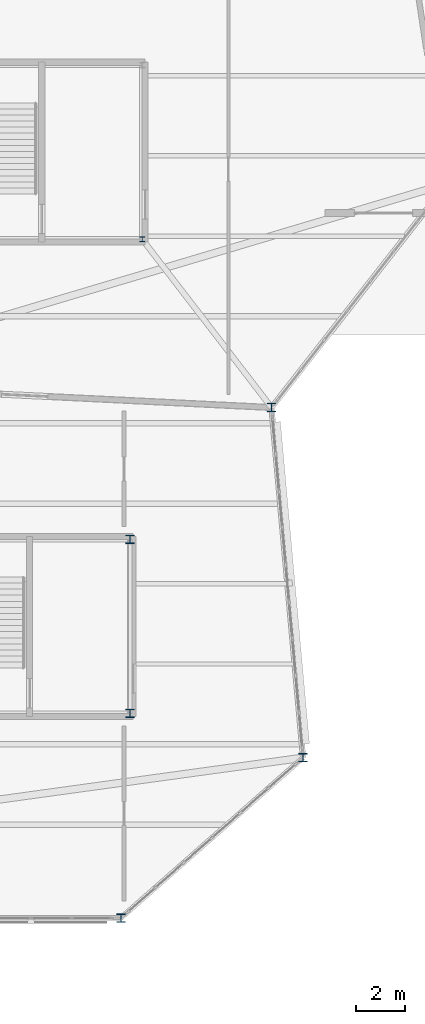
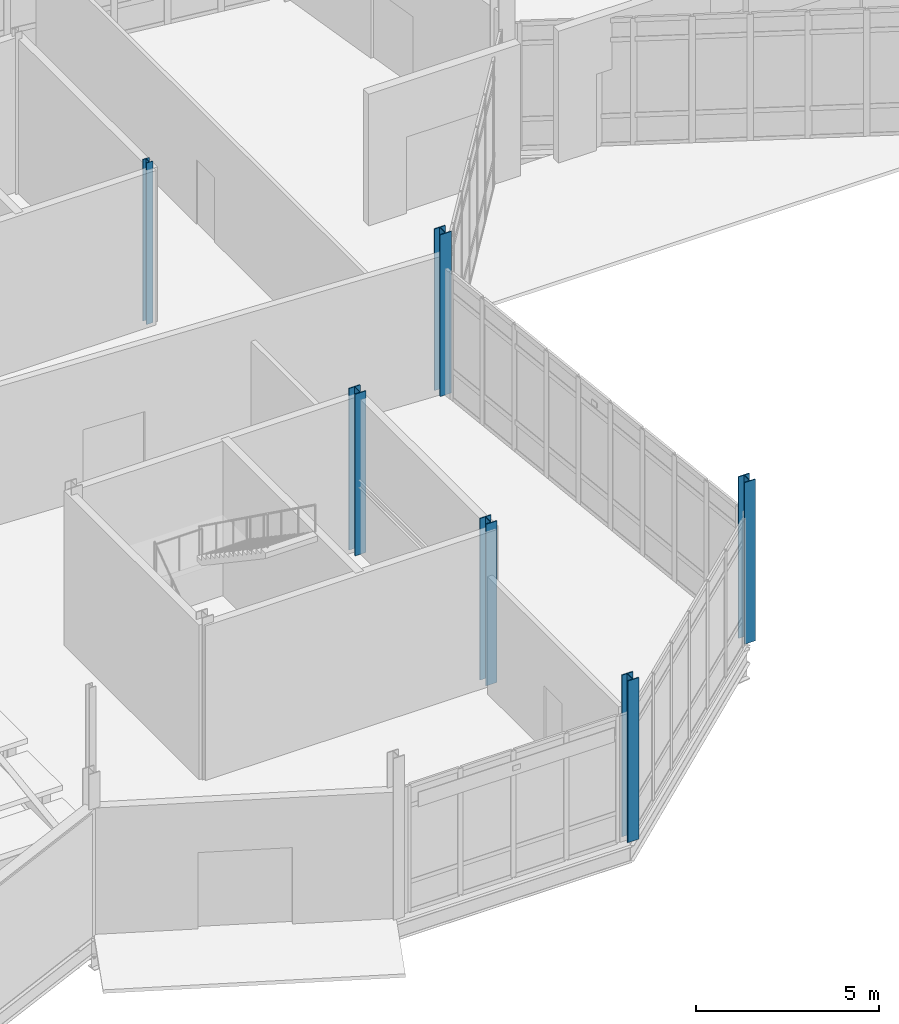
# One storey, part 4 of 113: 6 columns.
"""IFC4 building model written with IfcOpenShell, lengths in metres."""

from ifc_helpers import new_model, si_unit, direction, frame, origin, origin_2d, place, context, subcontext, project, spatial, i_section, extrude, material, material_profile, profile_set, type_object, element, save


model = new_model("IFC4")

# Units and contexts
model_context = context("Model", 3, precision=1e-05, world=origin(), true_north=direction((0.0, 1.0)))
body_context = subcontext(model_context, "Body", "Model", "MODEL_VIEW")
ifc_project = project(units=[si_unit("LENGTHUNIT", "METRE"), si_unit("AREAUNIT", "SQUARE_METRE"), si_unit("VOLUMEUNIT", "CUBIC_METRE"), si_unit("PLANEANGLEUNIT", "RADIAN"), si_unit("MASSUNIT", "GRAM", prefix="KILO")], contexts=[model_context])

# Site, building, storey
site_placement = place(None, origin())
site = spatial("IfcSite", under=ifc_project, at=site_placement, CompositionType="ELEMENT")
building_placement = place(site_placement, origin())
building = spatial("IfcBuilding", under=site, at=building_placement, Name="Tameran Prism Museum", CompositionType="ELEMENT")
storey_placement = place(building_placement, origin())
storey = spatial("IfcBuildingStorey", under=building, at=storey_placement, Name="L00", CompositionType="ELEMENT", Elevation=0.0)

# Columns
ifc_material_1 = material(Name="Steel Grade 300PLUS (300 MPa)", Category="steel")
ifc_material_profile_1 = material_profile(ifc_material_1, i_section(OverallWidth=0.205078125, OverallDepth=0.2099609375, WebThickness=0.00927734375, FlangeThickness=0.01416015625, FilletRadius=0.01025390625, at=origin_2d()))
ifc_profile_set_1 = profile_set([ifc_material_profile_1])
column_type_1 = type_object("IfcColumnType", Name="COL-UC200", PredefinedType="COLUMN", material=ifc_profile_set_1)
column_placement = place(storey_placement, frame((38.47998046875, 27.919921875, 0.0), z_axis=(0.0, 0.0, 1.0), x_axis=(1.0, 0.0, 0.0)))
element("IfcColumn", 1, at=column_placement, inside=storey, type_object=column_type_1, Name="Column CC-12-2 L00", PredefinedType="COLUMN", context=body_context, shape_type="SweptSolid", body=[
    extrude(i_section(OverallWidth=0.205078125, OverallDepth=0.2099609375, WebThickness=0.00927734375, FlangeThickness=0.01416015625, FilletRadius=0.01025390625, at=origin_2d()), origin(), (0.0, 0.0, 1.0), 5.39990234375),
])
ifc_material_2 = material(Name="Steel Grade 350 (350 MPa)", Category="steel")
ifc_material_profile_2 = material_profile(ifc_material_2, i_section(OverallWidth=0.35009765625, OverallDepth=0.35009765625, WebThickness=0.02001953125, FlangeThickness=0.028076171875, at=origin_2d()))
ifc_profile_set_2 = profile_set([ifc_material_profile_2])
column_type_2 = type_object("IfcColumnType", Name="COL-WC350", PredefinedType="COLUMN", material=ifc_profile_set_2)
for number, where, z_axis, x_axis, name in (
    (2, (37.60009765625, 0.0, 0.0), (0.0, 0.0, 1.0), (1.0, 0.0, 0.0), "Column CV-21 L00"),
    (3, (43.800048828125, 21.0, 0.0), (0.0, 0.0, 1.0), (1.0, 0.0, 0.0), "Column CV-23 L00"),
    (4, (45.10009765625, 6.60009765625, 0.0), (0.0, 0.0, 1.0), (1.0, 0.0, 0.0), "Column CV-24 L00"),
    (5, (37.97998046875, 8.419921875, 0.0), (0.0, 0.0, 1.0), (1.0, 0.0, 0.0), "Column CC-6-2 L00"),
    (6, (37.97998046875, 15.580078125, 0.0), (0.0, 0.0, 1.0), (1.0, 0.0, 0.0), "Column CC-6-3 L00"),
):
    element("IfcColumn", number, at=place(storey_placement, frame(where, z_axis=z_axis, x_axis=x_axis)), inside=storey, type_object=column_type_2, Name=name, PredefinedType="COLUMN", context=body_context, shape_type="SweptSolid", body=[
        extrude(i_section(OverallWidth=0.35009765625, OverallDepth=0.35009765625, WebThickness=0.02001953125, FlangeThickness=0.028076171875, at=origin_2d()), origin(), (0.0, 0.0, 1.0), 5.39990234375),
    ])

save(model, "model.ifc")
